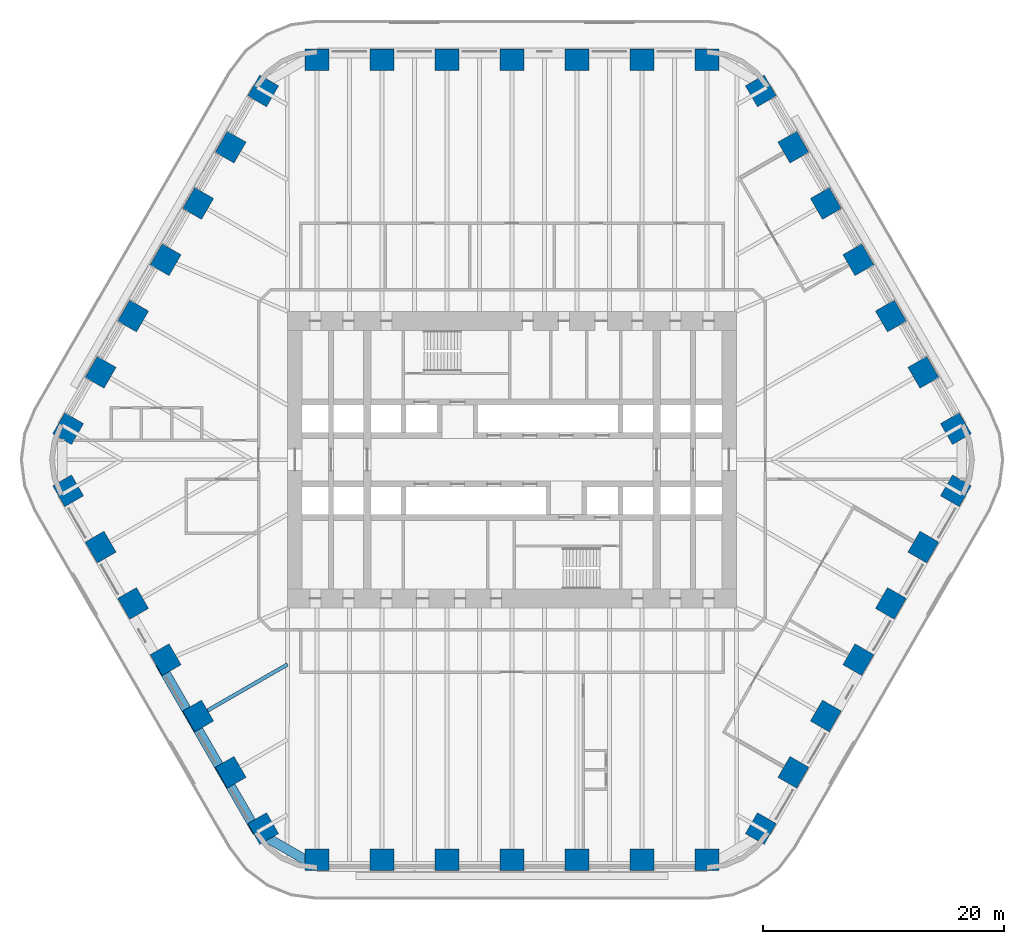
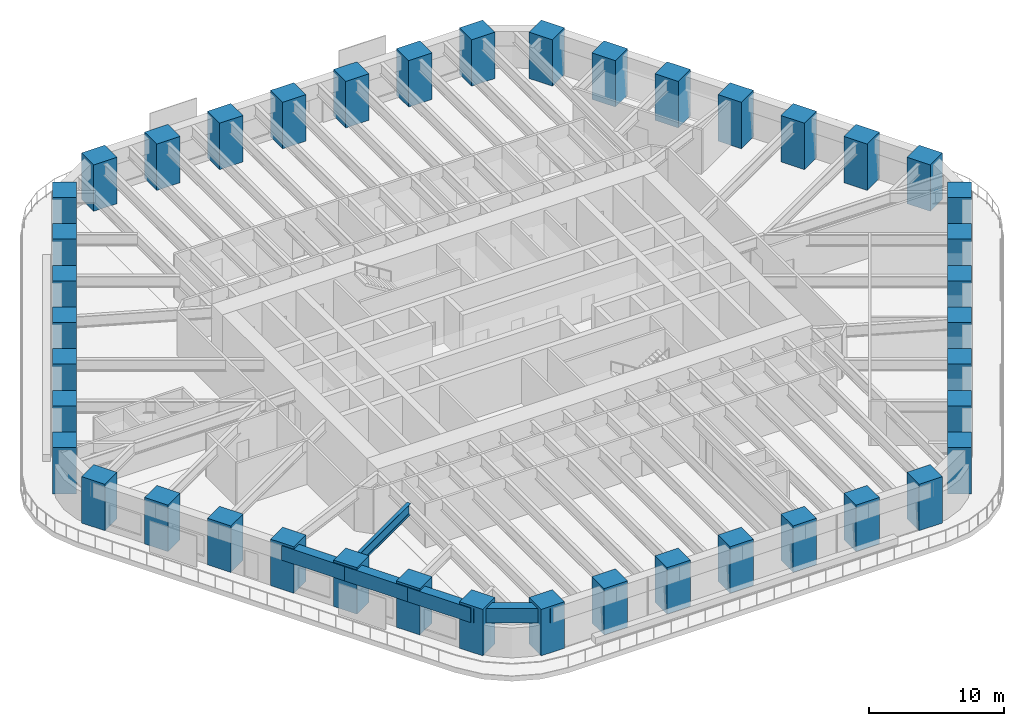
# One storey, part 1 of 23: 42 columns, 5 beams.
"""IFC4 building model written with IfcOpenShell, lengths in metres."""

import ifcopenshell
import ifcopenshell.guid

model = None  # the IFC model being written
_history = None  # IfcOwnerHistory: only IFC2X3 demands one
_inside = {}  # id of a spatial element -> (the spatial element, [elements in it])
_under = {}  # id of a project, library or spatial element -> (it, [spatial elements below it])
_declared = {}  # id of a project -> (the project, [libraries it declares])
_typed = {}  # id of a type object -> (the type object, [elements of that type])
_made_of = {}  # id of a material, layer set ... -> (it, [elements and type objects made of it])


def new_model(schema):
    """Start an empty IFC model of exactly this schema.

    Asked for "IFC4X3", IfcOpenShell would pick the latest addendum, in which some entities
    have other attributes; the version numbers below select the first issue.
    IFC2X3 requires an IfcOwnerHistory on every rooted entity: one is made here for all.
    """
    global model, _history
    if schema == "IFC4X3":
        model = ifcopenshell.file(schema_version=(4, 3, 0, 0))
    else:
        model = ifcopenshell.file(schema=schema)
    _inside.clear()
    _under.clear()
    _declared.clear()
    _typed.clear()
    _made_of.clear()
    _history = None
    if model.schema == "IFC2X3":
        org = make("IfcOrganization", Name="unknown")
        user = make(
            "IfcPersonAndOrganization",
            ThePerson=make("IfcPerson", FamilyName="unknown"),
            TheOrganization=org,
        )
        app = make(
            "IfcApplication",
            ApplicationDeveloper=org,
            Version="unknown",
            ApplicationFullName="unknown",
            ApplicationIdentifier="unknown",
        )
        _history = make(
            "IfcOwnerHistory",
            OwningUser=user,
            OwningApplication=app,
            ChangeAction="ADDED",
            CreationDate=0,
        )
    return model


def make(cls, **values):
    """One entity of the class cls with the attributes given. An attribute that is None is left unset."""
    return model.create_entity(
        cls, **{name: value for name, value in values.items() if value is not None}
    )


def rooted(cls, **values):
    """An entity with a GlobalId (a new one), such as an element, a storey or a relation."""
    return make(cls, GlobalId=ifcopenshell.guid.new(), OwnerHistory=_history, **values)


def si_unit(unit_type, name, prefix=None):
    """IfcSIUnit, for example si_unit("LENGTHUNIT", "METRE", prefix="MILLI")."""
    return make("IfcSIUnit", UnitType=unit_type, Prefix=prefix, Name=name)


def assignment(units):
    """IfcUnitAssignment: the units of a project."""
    return None if units is None else make("IfcUnitAssignment", Units=units)


def point(xyz):
    """IfcCartesianPoint."""
    return None if xyz is None else make("IfcCartesianPoint", Coordinates=xyz)


def direction(xyz):
    """IfcDirection."""
    return None if xyz is None else make("IfcDirection", DirectionRatios=xyz)


def frame(location, z_axis=None, x_axis=None):
    """IfcAxis2Placement3D, a coordinate frame: its origin and axes. An axis left out is left unset."""
    return make(
        "IfcAxis2Placement3D",
        Location=point(location),
        Axis=direction(z_axis),
        RefDirection=direction(x_axis),
    )


def frame_2d(location, x_axis=None):
    """IfcAxis2Placement2D, a coordinate frame in the plane: its origin and x axis."""
    return make(
        "IfcAxis2Placement2D", Location=point(location), RefDirection=direction(x_axis)
    )


def origin():
    """The frame at (0, 0, 0) with its axes left unset."""
    return frame((0.0, 0.0, 0.0))


def origin_2d():
    """The frame at (0, 0) in the plane with its x axis left unset."""
    return frame_2d((0.0, 0.0))


def place(relative_to, where):
    """IfcLocalPlacement: puts the frame where relative to a parent placement (None: the world)."""
    return make(
        "IfcLocalPlacement", PlacementRelTo=relative_to, RelativePlacement=where
    )


def context(
    kind, dimensions, precision=None, world=None, true_north=None, identifier=None
):
    """IfcGeometricRepresentationContext, for example the 3D "Model" context."""
    return make(
        "IfcGeometricRepresentationContext",
        ContextIdentifier=identifier,
        ContextType=kind,
        CoordinateSpaceDimension=dimensions,
        Precision=precision,
        WorldCoordinateSystem=world,
        TrueNorth=true_north,
    )


def subcontext(parent, identifier, kind, view, scale=None):
    """IfcGeometricRepresentationSubContext, for example "Body" below "Model"."""
    return make(
        "IfcGeometricRepresentationSubContext",
        ContextIdentifier=identifier,
        ContextType=kind,
        ParentContext=parent,
        TargetScale=scale,
        TargetView=view,
    )


def project(units=None, contexts=None):
    """IfcProject with its units and contexts."""
    return rooted(
        "IfcProject",
        Name="project",
        RepresentationContexts=contexts,
        UnitsInContext=assignment(units),
    )


def spatial(cls, under=None, at=None, **own):
    """A site, building, storey or space (cls), placed at a placement, below another one or the project."""
    s = rooted(cls, ObjectPlacement=at, **own)
    if under is not None:
        _under.setdefault(under.id(), (under, []))[1].append(s)
    return s


def profile(cls, at=None, kind="AREA", **sizes):
    """A parametric profile (cls). Its sizes go by their IFC names, for example OverallWidth=200.0."""
    return make(cls, ProfileType=kind, Position=at, **sizes)


def rectangle(**sizes):
    """IfcRectangleProfileDef."""
    return profile("IfcRectangleProfileDef", **sizes)


def i_section(**sizes):
    """IfcIShapeProfileDef."""
    return profile("IfcIShapeProfileDef", **sizes)


def extrude(swept, where, along, depth):
    """IfcExtrudedAreaSolid: the profile swept, set in the frame where, extruded along a direction by depth."""
    return make(
        "IfcExtrudedAreaSolid",
        SweptArea=swept,
        Position=where,
        ExtrudedDirection=direction(along),
        Depth=depth,
    )


def shape(context_of_items, identifier, shape_type, items):
    """IfcShapeRepresentation: the items that make up one representation, for example the "Body"."""
    return make(
        "IfcShapeRepresentation",
        ContextOfItems=context_of_items,
        RepresentationIdentifier=identifier,
        RepresentationType=shape_type,
        Items=items,
    )


def material(Name=None, Category=None):
    """IfcMaterial."""
    return make("IfcMaterial", Name=Name, Category=Category)


def material_profile(
    of_material, cross_section, Name=None, Category=None, Priority=None
):
    """IfcMaterialProfile: a cross section and its material."""
    return make(
        "IfcMaterialProfile",
        Name=Name,
        Material=of_material,
        Profile=cross_section,
        Priority=Priority,
        Category=Category,
    )


def profile_set(profiles, Name=None, composite=None):
    """IfcMaterialProfileSet."""
    return make(
        "IfcMaterialProfileSet",
        Name=Name,
        MaterialProfiles=profiles,
        CompositeProfile=composite,
    )


def made_of(thing, what):
    """Note that an element or type object is made of a material, layer set ...; save() writes the relation."""
    if what is not None:
        _made_of.setdefault(what.id(), (what, []))[1].append(thing)
    return thing


def type_object(cls, material=None, **own):
    """A type object (cls), such as IfcWallType, which elements share."""
    return made_of(rooted(cls, **own), material)


def element(
    cls,
    number,
    at=None,
    inside=None,
    cuts=None,
    type_object=None,
    material=None,
    context=None,
    identifier="Body",
    shape_type=None,
    held_by="IfcProductDefinitionShape",
    body=None,
    shapes=None,
    **own,
):
    """One element of the class cls, such as IfcWall. Its Tag is "e" and its number.

    at: its placement. inside: the storey or other place that contains it. cuts: it is an
    opening in that element (IfcRelVoidsElement). A single representation is given by context,
    identifier, shape_type and body (its items); several are given by shapes. held_by: the class
    of the entity that holds the representations. save() writes the other relations.
    """
    e = rooted(cls, Tag="e%d" % number, ObjectPlacement=at, **own)
    if body is not None:
        shapes = [shape(context, identifier, shape_type, body)]
    if shapes is not None:
        e.Representation = make(held_by, Representations=shapes)
    if inside is not None:
        _inside.setdefault(inside.id(), (inside, []))[1].append(e)
    if cuts is not None:
        rooted(
            "IfcRelVoidsElement", RelatingBuildingElement=cuts, RelatedOpeningElement=e
        )
    if type_object is not None:
        _typed.setdefault(type_object.id(), (type_object, []))[1].append(e)
    return made_of(e, material)


def aggregate(whole, parts):
    """IfcRelAggregates: a whole, such as a stair, and the parts it consists of."""
    return rooted("IfcRelAggregates", RelatingObject=whole, RelatedObjects=parts)


def save(model, path):
    """Write the relations noted so far, then the file.

    IfcRelAggregates (storeys below a building ...), IfcRelContainedInSpatialStructure (elements
    in a storey), IfcRelDefinesByType, IfcRelAssociatesMaterial and IfcRelDeclares: one each for
    every whole, place, type object, material and project.
    """
    for whole, parts in _under.values():
        aggregate(whole, parts)
    for where, things in _inside.values():
        rooted(
            "IfcRelContainedInSpatialStructure",
            RelatedElements=things,
            RelatingStructure=where,
        )
    for kind, things in _typed.values():
        rooted("IfcRelDefinesByType", RelatedObjects=things, RelatingType=kind)
    for what, things in _made_of.values():
        rooted("IfcRelAssociatesMaterial", RelatedObjects=things, RelatingMaterial=what)
    for by, libraries in _declared.values():
        rooted("IfcRelDeclares", RelatingContext=by, RelatedDefinitions=libraries)
    model.write(path)


model = new_model("IFC4")

# Units and contexts
model_context = context("Model", 3, precision=1e-05, world=origin(), true_north=direction((0.0, 1.0)))
body_context = subcontext(model_context, "Body", "Model", "MODEL_VIEW")
ifc_project = project(units=[si_unit("LENGTHUNIT", "METRE"), si_unit("AREAUNIT", "SQUARE_METRE"), si_unit("VOLUMEUNIT", "CUBIC_METRE"), si_unit("PLANEANGLEUNIT", "RADIAN"), si_unit("MASSUNIT", "GRAM", prefix="KILO")], contexts=[model_context])

# Site, building, storey
site_placement = place(None, origin())
site = spatial("IfcSite", under=ifc_project, at=site_placement, CompositionType="ELEMENT")
building_placement = place(site_placement, origin())
building = spatial("IfcBuilding", under=site, at=building_placement, Name="Tarfa Lantern Tower", CompositionType="ELEMENT")
storey_placement = place(building_placement, frame((0.0, 0.0, 61.300048828125)))
storey = spatial("IfcBuildingStorey", under=building, at=storey_placement, Name="L13", CompositionType="ELEMENT", Elevation=61.300048828125)

# Columns
ifc_material_1 = material(Name="Concrete C80/95", Category="concrete")
ifc_material_profile_1 = material_profile(ifc_material_1, rectangle(XDim=2.0, YDim=1.800048828125, at=origin_2d()), Name="RC 2000x1800")
ifc_profile_set_1 = profile_set([ifc_material_profile_1], Name="Concrete C80/95")
column_type = type_object("IfcColumnType", Name="TC2 RC 2000x1800", PredefinedType="COLUMN", material=ifc_profile_set_1)
for number, where, z_axis, x_axis, name in (
    (1, (36.791748046875, 2.574951171875, 0.0), (0.0, 0.0, 1.0), (-0.5, 0.866025403784, 0.0), "Tube column NE0"),
    (2, (34.097412109375, 7.24169921875, 0.0), (0.0, 0.0, 1.0), (-0.5, 0.866025403784, 0.0), "Tube column NE1"),
    (3, (31.403076171875, 11.908447265625, 0.0), (0.0, 0.0, 1.0), (-0.5, 0.866025403784, 0.0), "Tube column NE2"),
    (4, (28.708740234375, 16.574951171875, 0.0), (0.0, 0.0, 1.0), (-0.5, 0.866025403784, 0.0), "Tube column NE3"),
    (5, (26.014404296875, 21.24169921875, 0.0), (0.0, 0.0, 1.0), (-0.5, 0.866025403784, 0.0), "Tube column NE4"),
    (6, (23.320068359375, 25.908447265625, 0.0), (0.0, 0.0, 1.0), (-0.5, 0.866025403784, 0.0), "Tube column NE5"),
    (7, (20.625732421875, 30.574951171875, 0.0), (0.0, 0.0, 1.0), (-0.5, 0.866025403784, 0.0), "Tube column NE6"),
    (8, (16.165771484375, 33.14990234375, 0.0), (0.0, 0.0, 1.0), (-1.0, 0.0, 0.0), "Tube column N0"),
    (9, (10.777099609375, 33.14990234375, 0.0), (0.0, 0.0, 1.0), (-1.0, 0.0, 0.0), "Tube column N1"),
    (10, (5.388671875, 33.14990234375, 0.0), (0.0, 0.0, 1.0), (-1.0, 0.0, 0.0), "Tube column N2"),
    (11, (0.0, 33.14990234375, 0.0), (0.0, 0.0, 1.0), (-1.0, 0.0, 0.0), "Tube column N3"),
    (12, (-5.388671875, 33.14990234375, 0.0), (0.0, 0.0, 1.0), (-1.0, 0.0, 0.0), "Tube column N4"),
    (13, (-10.777099609375, 33.14990234375, 0.0), (0.0, 0.0, 1.0), (-1.0, 0.0, 0.0), "Tube column N5"),
    (14, (-16.165771484375, 33.14990234375, 0.0), (0.0, 0.0, 1.0), (-1.0, 0.0, 0.0), "Tube column N6"),
    (15, (-20.625732421875, 30.574951171875, 0.0), (0.0, 0.0, 1.0), (-0.5, -0.866025403784, 0.0), "Tube column NW0"),
    (16, (-23.320068359375, 25.908447265625, 0.0), (0.0, 0.0, 1.0), (-0.5, -0.866025403784, 0.0), "Tube column NW1"),
    (17, (-26.014404296875, 21.24169921875, 0.0), (0.0, 0.0, 1.0), (-0.5, -0.866025403784, 0.0), "Tube column NW2"),
    (18, (-28.708740234375, 16.574951171875, 0.0), (0.0, 0.0, 1.0), (-0.5, -0.866025403784, 0.0), "Tube column NW3"),
    (19, (-31.403076171875, 11.908447265625, 0.0), (0.0, 0.0, 1.0), (-0.5, -0.866025403784, 0.0), "Tube column NW4"),
    (20, (-34.097412109375, 7.24169921875, 0.0), (0.0, 0.0, 1.0), (-0.5, -0.866025403784, 0.0), "Tube column NW5"),
    (21, (-36.791748046875, 2.574951171875, 0.0), (0.0, 0.0, 1.0), (-0.5, -0.866025403784, 0.0), "Tube column NW6"),
    (22, (-36.791748046875, -2.574951171875, 0.0), (0.0, 0.0, 1.0), (0.5, -0.866025403784, 0.0), "Tube column SW0"),
    (23, (-34.097412109375, -7.24169921875, 0.0), (0.0, 0.0, 1.0), (0.5, -0.866025403784, 0.0), "Tube column SW1"),
    (24, (-31.403076171875, -11.908447265625, 0.0), (0.0, 0.0, 1.0), (0.5, -0.866025403784, 0.0), "Tube column SW2"),
    (25, (-28.708740234375, -16.574951171875, 0.0), (0.0, 0.0, 1.0), (0.5, -0.866025403784, 0.0), "Tube column SW3"),
    (26, (-26.014404296875, -21.24169921875, 0.0), (0.0, 0.0, 1.0), (0.5, -0.866025403784, 0.0), "Tube column SW4"),
    (27, (-23.320068359375, -25.908447265625, 0.0), (0.0, 0.0, 1.0), (0.5, -0.866025403784, 0.0), "Tube column SW5"),
    (28, (-20.625732421875, -30.574951171875, 0.0), (0.0, 0.0, 1.0), (0.5, -0.866025403784, 0.0), "Tube column SW6"),
    (29, (-16.165771484375, -33.14990234375, 0.0), (0.0, 0.0, 1.0), (1.0, 0.0, 0.0), "Tube column S0"),
    (30, (-10.777099609375, -33.14990234375, 0.0), (0.0, 0.0, 1.0), (1.0, 0.0, 0.0), "Tube column S1"),
    (31, (-5.388671875, -33.14990234375, 0.0), (0.0, 0.0, 1.0), (1.0, 0.0, 0.0), "Tube column S2"),
    (32, (0.0, -33.14990234375, 0.0), (0.0, 0.0, 1.0), (1.0, 0.0, 0.0), "Tube column S3"),
    (33, (5.388671875, -33.14990234375, 0.0), (0.0, 0.0, 1.0), (1.0, 0.0, 0.0), "Tube column S4"),
    (34, (10.777099609375, -33.14990234375, 0.0), (0.0, 0.0, 1.0), (1.0, 0.0, 0.0), "Tube column S5"),
    (35, (16.165771484375, -33.14990234375, 0.0), (0.0, 0.0, 1.0), (1.0, 0.0, 0.0), "Tube column S6"),
    (36, (20.625732421875, -30.574951171875, 0.0), (0.0, 0.0, 1.0), (0.5, 0.866025403784, 0.0), "Tube column SE0"),
    (37, (23.320068359375, -25.908447265625, 0.0), (0.0, 0.0, 1.0), (0.5, 0.866025403784, 0.0), "Tube column SE1"),
    (38, (26.014404296875, -21.24169921875, 0.0), (0.0, 0.0, 1.0), (0.5, 0.866025403784, 0.0), "Tube column SE2"),
    (39, (28.708740234375, -16.574951171875, 0.0), (0.0, 0.0, 1.0), (0.5, 0.866025403784, 0.0), "Tube column SE3"),
    (40, (31.403076171875, -11.908447265625, 0.0), (0.0, 0.0, 1.0), (0.5, 0.866025403784, 0.0), "Tube column SE4"),
    (41, (34.097412109375, -7.24169921875, 0.0), (0.0, 0.0, 1.0), (0.5, 0.866025403784, 0.0), "Tube column SE5"),
    (42, (36.791748046875, -2.574951171875, 0.0), (0.0, 0.0, 1.0), (0.5, 0.866025403784, 0.0), "Tube column SE6"),
):
    element("IfcColumn", number, at=place(storey_placement, frame(where, z_axis=z_axis, x_axis=x_axis)), inside=storey, type_object=column_type, Name=name, PredefinedType="COLUMN", context=body_context, shape_type="SweptSolid", body=[
        extrude(rectangle(XDim=2.0, YDim=1.800048828125, at=origin_2d()), origin(), (0.0, 0.0, 1.0), 4.199951171875),
    ])

# Beams
ifc_material_profile_2 = material_profile(ifc_material_1, rectangle(XDim=0.800048828125, YDim=1.300048828125, at=origin_2d()), Name="RC 800x1300")
ifc_profile_set_2 = profile_set([ifc_material_profile_2], Name="Concrete C80/95")
beam_type_1 = type_object("IfcBeamType", Name="EB1 RC 800x1300", PredefinedType="SPANDREL", material=ifc_profile_set_2)
beam_1_placement = place(storey_placement, frame((-29.202392578125, -16.860107421875, 3.349853515625), z_axis=(0.500017906299, -0.866015065331, 0.0), x_axis=(0.866015065331, 0.500017906299, 0.0)))
element("IfcBeam", 43, at=beam_1_placement, inside=storey, type_object=beam_type_1, Name="Edge beam SW3", PredefinedType="SPANDREL", context=body_context, shape_type="SweptSolid", body=[
    extrude(rectangle(XDim=0.800048828125, YDim=1.300048828125, at=origin_2d()), origin(), (0.0, 0.0, 1.0), 5.388427734375),
])
for number, where, z_axis, x_axis, name in (
    (44, (-26.508056640625, -21.526611328125, 3.349853515625), (0.499998287579, -0.866026392449, 0.0), (0.866026392449, 0.499998287579, 0.0), "Edge beam SW4"),
    (45, (-23.813720703125, -26.193359375, 3.349853515625), (0.499998287579, -0.866026392449, 0.0), (0.866026392449, 0.499998287579, 0.0), "Edge beam SW5"),
):
    element("IfcBeam", number, at=place(storey_placement, frame(where, z_axis=z_axis, x_axis=x_axis)), inside=storey, type_object=beam_type_1, Name=name, PredefinedType="SPANDREL", context=body_context, shape_type="SweptSolid", body=[
        extrude(rectangle(XDim=0.800048828125, YDim=1.300048828125, at=origin_2d()), origin(), (0.0, 0.0, 1.0), 5.388671875),
    ])
beam_2_placement = place(storey_placement, frame((-21.119384765625, -30.860107421875, 3.349853515625), z_axis=(0.866033479681, -0.499986011877, 0.0), x_axis=(0.499986011877, 0.866033479681, 0.0)))
element("IfcBeam", 46, at=beam_2_placement, inside=storey, type_object=beam_type_1, Name="Edge beam SW6", PredefinedType="SPANDREL", context=body_context, shape_type="SweptSolid", body=[
    extrude(rectangle(XDim=0.800048828125, YDim=1.300048828125, at=origin_2d()), origin(), (0.0, 0.0, 1.0), 5.719970703125),
])
ifc_material_2 = material(Name="Steel S460M", Category="steel")
ifc_material_profile_3 = material_profile(ifc_material_2, i_section(OverallWidth=0.302001953125, OverallDepth=1.008056640625, WebThickness=0.02099609375, FlangeThickness=0.0400390625, FilletRadius=0.030029296875, at=origin_2d()), Name="UB1016x305x349")
ifc_profile_set_3 = profile_set([ifc_material_profile_3], Name="Steel S460M")
beam_type_2 = type_object("IfcBeamType", Name="UB1016x305x349", PredefinedType="BEAM", material=ifc_profile_set_3)
beam_3_placement = place(storey_placement, frame((-26.508056640625, -21.526611328125, 3.495849609375), z_axis=(0.866035355799, 0.49998276221, 0.0), x_axis=(-0.49998276221, 0.866035355799, 0.0)))
element("IfcBeam", 47, at=beam_3_placement, inside=storey, type_object=beam_type_2, Name="Floor beam SW4", PredefinedType="BEAM", context=body_context, shape_type="SweptSolid", body=[
    extrude(i_section(OverallWidth=0.302001953125, OverallDepth=1.008056640625, WebThickness=0.02099609375, FlangeThickness=0.0400390625, FilletRadius=0.030029296875, at=origin_2d()), origin(), (0.0, 0.0, 1.0), 9.119873046875),
])

save(model, "model.ifc")
